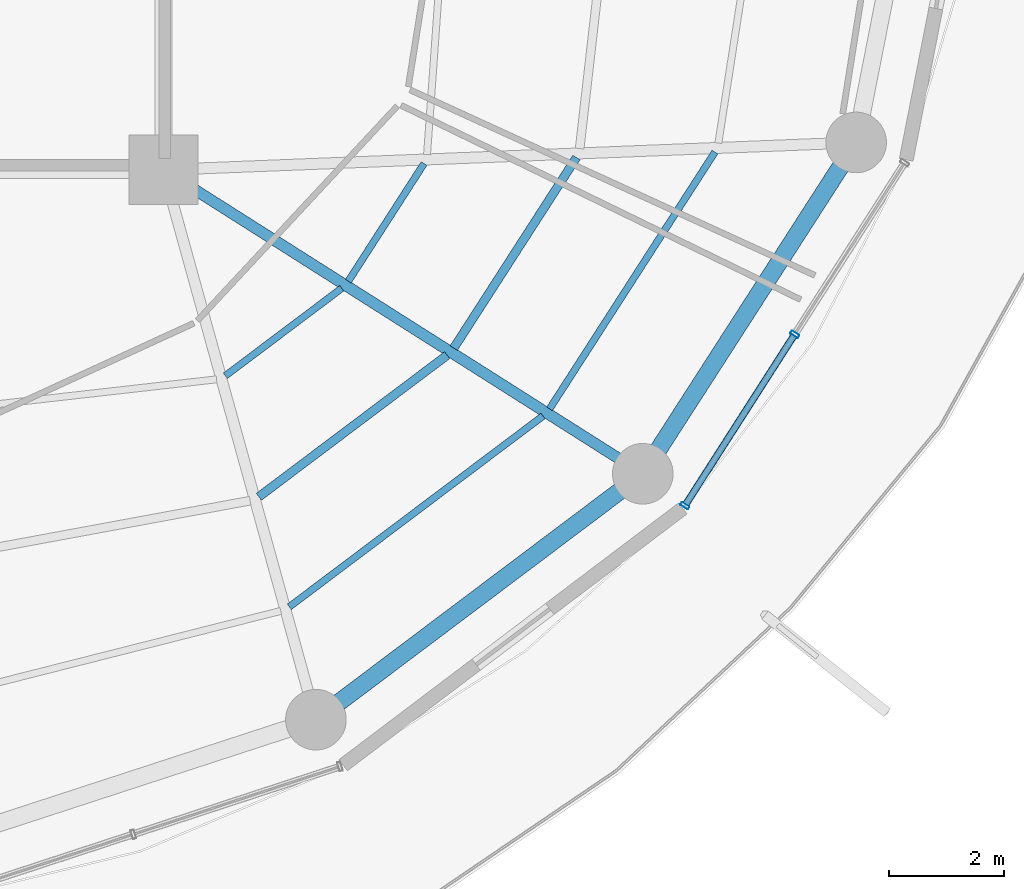
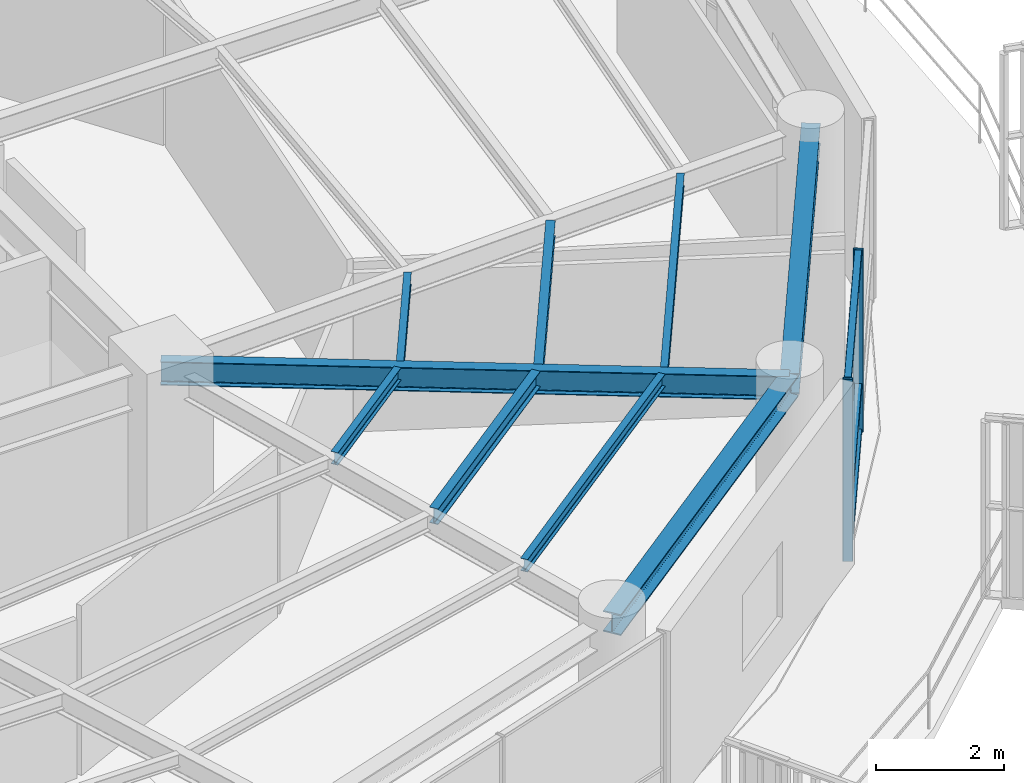
# One storey, part 11 of 30: 9 beams, 5 members, 1 element without a shape of its own.
"""IFC4 building model written with IfcOpenShell, lengths in metres."""

from ifc_helpers import new_model, si_unit, direction, frame, origin, origin_2d, place, context, subcontext, project, spatial, hollow_rectangle, i_section, extrude, material, layer, layer_set, material_profile, profile_set, type_object, element, aggregate, save


model = new_model("IFC4")

# Units and contexts
model_context = context("Model", 3, precision=1e-05, world=origin(), true_north=direction((0.0, 1.0)))
body_context = subcontext(model_context, "Body", "Model", "MODEL_VIEW")
ifc_project = project(units=[si_unit("LENGTHUNIT", "METRE"), si_unit("AREAUNIT", "SQUARE_METRE"), si_unit("VOLUMEUNIT", "CUBIC_METRE"), si_unit("PLANEANGLEUNIT", "RADIAN"), si_unit("MASSUNIT", "GRAM", prefix="KILO")], contexts=[model_context])

# Site, building, storey
site_placement = place(None, origin())
site = spatial("IfcSite", under=ifc_project, at=site_placement, CompositionType="ELEMENT")
building_placement = place(site_placement, origin())
building = spatial("IfcBuilding", under=site, at=building_placement, Name="Kelanora Arch Commons", CompositionType="ELEMENT")
storey_placement = place(building_placement, frame((0.0, 0.0, 208.199951171875)))
storey = spatial("IfcBuildingStorey", under=building, at=storey_placement, Name="L53", CompositionType="ELEMENT", Elevation=208.199951171875)

# Beams
ifc_material_1 = material(Name="Steel S355", Category="steel")
ifc_material_profile_1 = material_profile(ifc_material_1, i_section(OverallWidth=0.14990234375, OverallDepth=0.300048828125, WebThickness=0.007080078125, FlangeThickness=0.0107421875, FilletRadius=0.014892578125, at=origin_2d()), Name="IPE300")
ifc_profile_set_1 = profile_set([ifc_material_profile_1], Name="Steel S355")
beam_type_1 = type_object("IfcBeamType", Name="BM-JST-01", PredefinedType="JOIST", material=ifc_profile_set_1)
beam_1_placement = place(storey_placement, frame((83.65185546875, 45.3369140625, 3.340087890625), z_axis=(0.799101708656, 0.601195857624, 0.0), x_axis=(-0.601195857624, 0.799101708656, 0.0)))
element("IfcBeam", 1, at=beam_1_placement, inside=storey, type_object=beam_type_1, Name="Secondary Chord Joist BJB-30 L53", PredefinedType="JOIST", context=body_context, shape_type="SweptSolid", body=[
    extrude(i_section(OverallWidth=0.14990234375, OverallDepth=0.300048828125, WebThickness=0.007080078125, FlangeThickness=0.0107421875, FilletRadius=0.014892578125, at=origin_2d()), origin(), (0.0, 0.0, 1.0), 4.080810546875),
])
beam_2_placement = place(storey_placement, frame((87.02685546875, 47.912841796875, 3.340087890625), z_axis=(0.541411265892, 0.840757896879, 0.0), x_axis=(-0.840757896879, 0.541411265892, 0.0)))
element("IfcBeam", 2, at=beam_2_placement, inside=storey, type_object=beam_type_1, Name="Secondary Chord Joist BJB-32 L53", PredefinedType="JOIST", context=body_context, shape_type="SweptSolid", body=[
    extrude(i_section(OverallWidth=0.14990234375, OverallDepth=0.300048828125, WebThickness=0.007080078125, FlangeThickness=0.0107421875, FilletRadius=0.014892578125, at=origin_2d()), origin(), (0.0, 0.0, 1.0), 3.92529296875),
])
ifc_material_profile_2 = material_profile(ifc_material_1, i_section(OverallWidth=0.1201171875, OverallDepth=0.239990234375, WebThickness=0.006103515625, FlangeThickness=0.009765625, FilletRadius=0.014892578125, at=origin_2d()), Name="IPE240")
ifc_profile_set_2 = profile_set([ifc_material_profile_2], Name="Steel S355")
beam_type_2 = type_object("IfcBeamType", Name="BM-JST-02", PredefinedType="JOIST", material=ifc_profile_set_2)
beam_3_placement = place(storey_placement, frame((83.071044921875, 47.43212890625, 3.3701171875), z_axis=(0.79911638933, 0.601176343766, 0.0), x_axis=(-0.601176343766, 0.79911638933, 0.0)))
element("IfcBeam", 3, at=beam_3_placement, inside=storey, type_object=beam_type_2, Name="Secondary Chord Joist BJA-30 L53", PredefinedType="JOIST", context=body_context, shape_type="SweptSolid", body=[
    extrude(i_section(OverallWidth=0.1201171875, OverallDepth=0.239990234375, WebThickness=0.006103515625, FlangeThickness=0.009765625, FilletRadius=0.014892578125, at=origin_2d()), origin(), (0.0, 0.0, 1.0), 2.522216796875),
])
beam_4_placement = place(storey_placement, frame((84.179931640625, 43.43212890625, 3.3701171875), z_axis=(0.799109197935, 0.601185902842, 0.0), x_axis=(-0.601185902842, 0.799109197935, 0.0)))
element("IfcBeam", 4, at=beam_4_placement, inside=storey, type_object=beam_type_2, Name="Secondary Chord Joist BJC-30 L53", PredefinedType="JOIST", context=body_context, shape_type="SweptSolid", body=[
    extrude(i_section(OverallWidth=0.1201171875, OverallDepth=0.239990234375, WebThickness=0.006103515625, FlangeThickness=0.009765625, FilletRadius=0.014892578125, at=origin_2d()), origin(), (0.0, 0.0, 1.0), 5.497802734375),
])
beam_5_placement = place(storey_placement, frame((85.20068359375, 49.071044921875, 3.3701171875), z_axis=(0.541332763503, 0.840808443796, 0.0), x_axis=(-0.840808443796, 0.541332763503, 0.0)))
element("IfcBeam", 5, at=beam_5_placement, inside=storey, type_object=beam_type_2, Name="Secondary Chord Joist BJA-32 L53", PredefinedType="JOIST", context=body_context, shape_type="SweptSolid", body=[
    extrude(i_section(OverallWidth=0.1201171875, OverallDepth=0.239990234375, WebThickness=0.006103515625, FlangeThickness=0.009765625, FilletRadius=0.014892578125, at=origin_2d()), origin(), (0.0, 0.0, 1.0), 2.423583984375),
])
beam_6_placement = place(storey_placement, frame((88.68701171875, 46.85986328125, 3.3701171875), z_axis=(0.541382492679, 0.840776424872, 0.0), x_axis=(-0.840776424872, 0.541382492679, 0.0)))
element("IfcBeam", 6, at=beam_6_placement, inside=storey, type_object=beam_type_2, Name="Secondary Chord Joist BJC-32 L53", PredefinedType="JOIST", context=body_context, shape_type="SweptSolid", body=[
    extrude(i_section(OverallWidth=0.1201171875, OverallDepth=0.239990234375, WebThickness=0.006103515625, FlangeThickness=0.009765625, FilletRadius=0.014892578125, at=origin_2d()), origin(), (0.0, 0.0, 1.0), 5.29052734375),
])
ifc_material_profile_3 = material_profile(ifc_material_1, i_section(OverallWidth=0.18994140625, OverallDepth=0.449951171875, WebThickness=0.009521484375, FlangeThickness=0.0146484375, FilletRadius=0.02099609375, at=origin_2d()), Name="IPE450")
ifc_profile_set_3 = profile_set([ifc_material_profile_3], Name="Steel S355")
beam_type_3 = type_object("IfcBeamType", Name="BM-RAD-Z4", PredefinedType="BEAM", material=ifc_profile_set_3)
beam_7_placement = place(storey_placement, frame((82.0, 51.0, 3.26513671875), z_axis=(0.844507208607, -0.535544185489, 0.0), x_axis=(0.535544185489, 0.844507208607, 0.0)))
element("IfcBeam", 7, at=beam_7_placement, inside=storey, type_object=beam_type_3, Name="Radial Floor Girder BR-32 L53", PredefinedType="BEAM", context=body_context, shape_type="SweptSolid", body=[
    extrude(i_section(OverallWidth=0.18994140625, OverallDepth=0.449951171875, WebThickness=0.009521484375, FlangeThickness=0.0146484375, FilletRadius=0.02099609375, at=origin_2d()), origin(), (0.0, 0.0, 1.0), 9.830078125),
])
ifc_material_profile_4 = material_profile(ifc_material_1, i_section(OverallWidth=0.300048828125, OverallDepth=0.39990234375, WebThickness=0.013427734375, FlangeThickness=0.02392578125, FilletRadius=0.027099609375, at=origin_2d()), Name="HEB400")
ifc_profile_set_4 = profile_set([ifc_material_profile_4], Name="Steel S355")
beam_type_4 = type_object("IfcBeamType", Name="BM-SPN-Z4", PredefinedType="SPANDREL", material=ifc_profile_set_4)
beam_8_placement = place(storey_placement, frame((84.639892578125, 41.476318359375, 3.2900390625), z_axis=(0.799114211715, 0.60117923836, 0.0), x_axis=(-0.60117923836, 0.799114211715, 0.0)))
element("IfcBeam", 8, at=beam_8_placement, inside=storey, type_object=beam_type_4, Name="Perimeter Spandrel Beam BS-30 L53", PredefinedType="SPANDREL", context=body_context, shape_type="SweptSolid", body=[
    extrude(i_section(OverallWidth=0.300048828125, OverallDepth=0.39990234375, WebThickness=0.013427734375, FlangeThickness=0.02392578125, FilletRadius=0.027099609375, at=origin_2d()), origin(), (0.0, 0.0, 1.0), 7.0849609375),
])
beam_9_placement = place(storey_placement, frame((90.301513671875, 45.735595703125, 3.2900390625), z_axis=(0.541364878868, 0.840787766281, 0.0), x_axis=(-0.840787766281, 0.541364878868, 0.0)))
element("IfcBeam", 9, at=beam_9_placement, inside=storey, type_object=beam_type_4, Name="Perimeter Spandrel Beam BS-32 L53", PredefinedType="SPANDREL", context=body_context, shape_type="SweptSolid", body=[
    extrude(i_section(OverallWidth=0.300048828125, OverallDepth=0.39990234375, WebThickness=0.013427734375, FlangeThickness=0.02392578125, FilletRadius=0.027099609375, at=origin_2d()), origin(), (0.0, 0.0, 1.0), 6.825439453125),
])

# Curtain wall, members
ifc_material_2 = material(Name="Terracotta ceramic-fritted low-E glass and aluminium", Category="masonry")
ifc_layer = layer(ifc_material_2, 0.175048828125)
ifc_layer_set = layer_set([ifc_layer], Name="Terracotta ceramic-fritted low-E glass and aluminium")
curtain_wall_type = type_object("IfcCurtainWallType", Name="CW-SYS-02", PredefinedType="NOTDEFINED", material=ifc_layer_set)
curtain_wall_placement = place(storey_placement, origin())
curtain_wall = element("IfcCurtainWall", 10, at=curtain_wall_placement, inside=storey, type_object=curtain_wall_type, Name="Unitised Curtain Wall L53-B16", PredefinedType="NOTDEFINED")
ifc_material_3 = material(Name="Powder-coated aluminium terracotta", Category="masonry")
ifc_material_profile_5 = material_profile(ifc_material_3, hollow_rectangle(XDim=0.159912109375, YDim=0.06005859375, WallThickness=0.0048828125, InnerFilletRadius=0.0048828125, OuterFilletRadius=0.010009765625, at=origin_2d()), Name="CWM160x60")
ifc_profile_set_5 = profile_set([ifc_material_profile_5], Name="Powder-coated aluminium terracotta")
member_type_1 = type_object("IfcMemberType", Name="CWM-STD", PredefinedType="MULLION", material=ifc_profile_set_5)
member_1_placement = place(storey_placement, frame((91.030517578125, 45.18212890625, 0.0), z_axis=(0.0, 0.0, 1.0), x_axis=(-0.84194757539, 0.539559338994, 0.0)))
member_1 = element("IfcMember", 11, at=member_1_placement, type_object=member_type_1, Name="CW-02 mullion 1", PredefinedType="MULLION", context=body_context, shape_type="SweptSolid", body=[
    extrude(hollow_rectangle(XDim=0.159912109375, YDim=0.06005859375, WallThickness=0.0048828125, InnerFilletRadius=0.0048828125, OuterFilletRadius=0.010009765625, at=origin_2d()), origin(), (0.0, 0.0, 1.0), 3.47509765625),
])
member_2_placement = place(storey_placement, frame((92.93359375, 48.15185546875, 0.0), z_axis=(0.0, 0.0, 1.0), x_axis=(-0.84194757539, 0.539559338994, 0.0)))
member_2 = element("IfcMember", 12, at=member_2_placement, type_object=member_type_1, Name="CW-02 mullion 2", PredefinedType="MULLION", context=body_context, shape_type="SweptSolid", body=[
    extrude(hollow_rectangle(XDim=0.159912109375, YDim=0.06005859375, WallThickness=0.0048828125, InnerFilletRadius=0.0048828125, OuterFilletRadius=0.010009765625, at=origin_2d()), origin(), (0.0, 0.0, 1.0), 3.47509765625),
])
ifc_material_profile_6 = material_profile(ifc_material_3, hollow_rectangle(XDim=0.1201171875, YDim=0.06005859375, WallThickness=0.0048828125, InnerFilletRadius=0.0048828125, OuterFilletRadius=0.010009765625, at=origin_2d()), Name="CWT120x60")
ifc_profile_set_6 = profile_set([ifc_material_profile_6], Name="Powder-coated aluminium terracotta")
member_type_2 = type_object("IfcMemberType", Name="CWT-STD", PredefinedType="USERDEFINED", material=ifc_profile_set_6)
member_3_placement = place(storey_placement, frame((91.046630859375, 45.207275390625, 0.030029296875), z_axis=(0.53954710894, 0.841955412854, 0.0), x_axis=(-0.841955412854, 0.53954710894, 0.0)))
member_3 = element("IfcMember", 13, at=member_3_placement, type_object=member_type_2, Name="CW-02 transom 1.1", ObjectType="TRANSOM", PredefinedType="USERDEFINED", context=body_context, shape_type="SweptSolid", body=[
    extrude(hollow_rectangle(XDim=0.1201171875, YDim=0.06005859375, WallThickness=0.0048828125, InnerFilletRadius=0.0048828125, OuterFilletRadius=0.010009765625, at=origin_2d()), origin(), (0.0, 0.0, 1.0), 3.467529296875),
])
member_4_placement = place(storey_placement, frame((91.046630859375, 45.207275390625, 0.900146484375), z_axis=(0.53954710894, 0.841955412854, 0.0), x_axis=(-0.841955412854, 0.53954710894, 0.0)))
member_4 = element("IfcMember", 14, at=member_4_placement, type_object=member_type_2, Name="CW-02 transom 1.2", ObjectType="TRANSOM", PredefinedType="USERDEFINED", context=body_context, shape_type="SweptSolid", body=[
    extrude(hollow_rectangle(XDim=0.1201171875, YDim=0.06005859375, WallThickness=0.0048828125, InnerFilletRadius=0.0048828125, OuterFilletRadius=0.010009765625, at=origin_2d()), origin(), (0.0, 0.0, 1.0), 3.467529296875),
])
member_5_placement = place(storey_placement, frame((91.046630859375, 45.207275390625, 3.445068359375), z_axis=(0.53954710894, 0.841955412854, 0.0), x_axis=(-0.841955412854, 0.53954710894, 0.0)))
member_5 = element("IfcMember", 15, at=member_5_placement, type_object=member_type_2, Name="CW-02 transom 1.3", ObjectType="TRANSOM", PredefinedType="USERDEFINED", context=body_context, shape_type="SweptSolid", body=[
    extrude(hollow_rectangle(XDim=0.1201171875, YDim=0.06005859375, WallThickness=0.0048828125, InnerFilletRadius=0.0048828125, OuterFilletRadius=0.010009765625, at=origin_2d()), origin(), (0.0, 0.0, 1.0), 3.467529296875),
])
aggregate(curtain_wall, [member_1, member_2, member_3, member_4, member_5])

save(model, "model.ifc")
